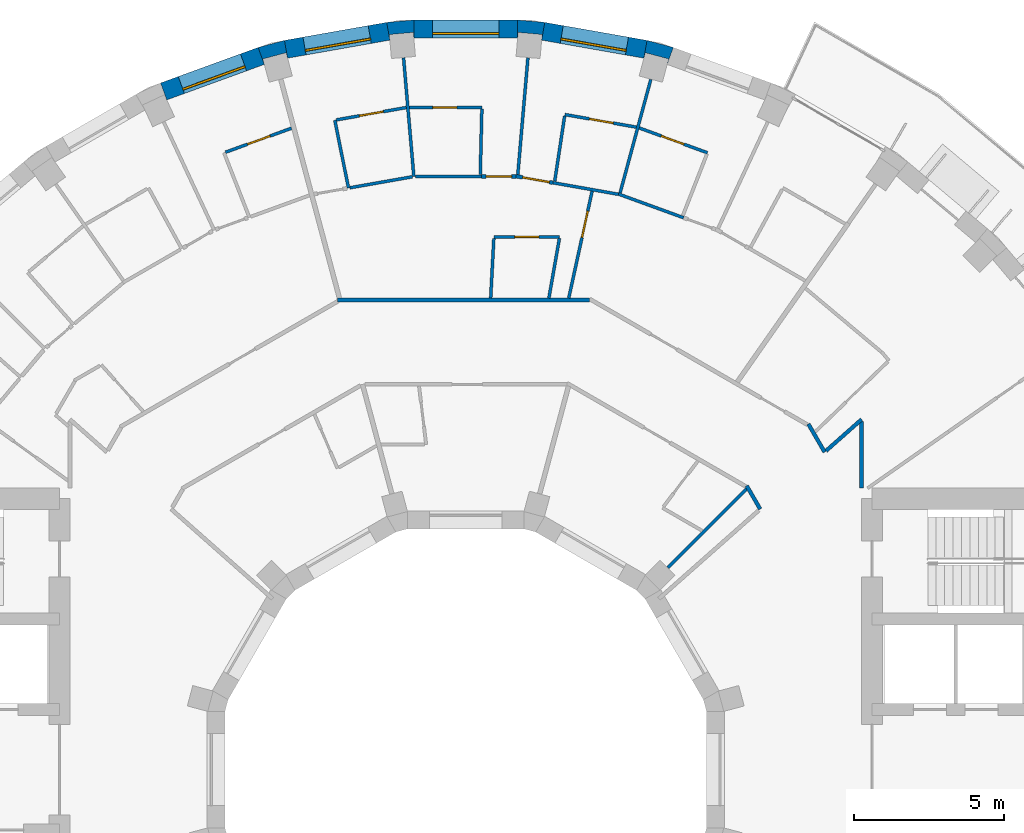
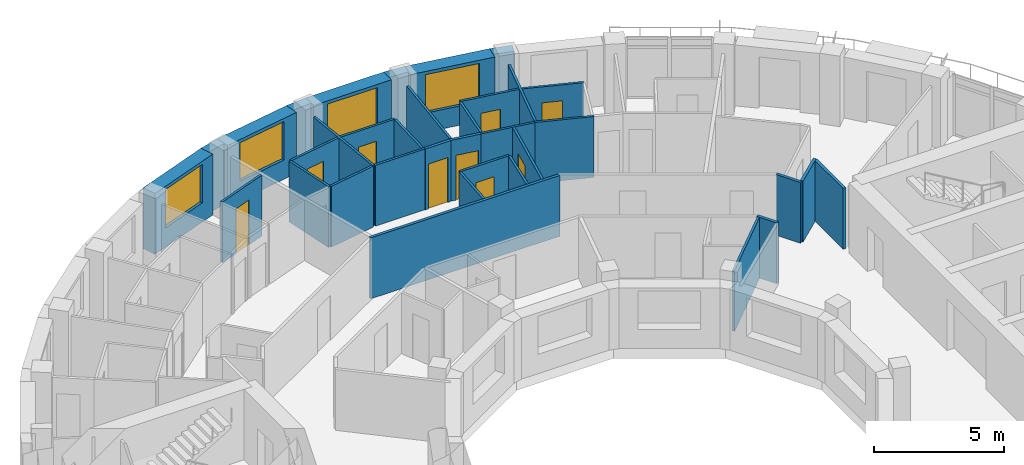
# One storey, part 12 of 15: 35 walls, 9 doors, 4 windows, 13 openings.
"""IFC4 building model written with IfcOpenShell, lengths in metres."""

from ifc_helpers import new_model, si_unit, direction, frame, frame_2d, origin, place, context, subcontext, project, spatial, polyline, rectangle, outline, extrude, material, layer, layer_set, type_object, element, fill, save


model = new_model("IFC4")

# Units and contexts
model_context = context("Model", 3, precision=1e-05, world=origin(), true_north=direction((0.0, 1.0)))
body_context = subcontext(model_context, "Body", "Model", "MODEL_VIEW")
ifc_project = project(units=[si_unit("LENGTHUNIT", "METRE"), si_unit("AREAUNIT", "SQUARE_METRE"), si_unit("VOLUMEUNIT", "CUBIC_METRE"), si_unit("PLANEANGLEUNIT", "RADIAN"), si_unit("MASSUNIT", "GRAM", prefix="KILO")], contexts=[model_context])

# Site, building, storey
site_placement = place(None, origin())
site = spatial("IfcSite", under=ifc_project, at=site_placement, CompositionType="ELEMENT")
building_placement = place(site_placement, origin())
building = spatial("IfcBuilding", under=site, at=building_placement, Name="Saqina Gate Tower", CompositionType="ELEMENT")
storey_placement = place(building_placement, frame((0.0, 0.0, 190.5)))
storey = spatial("IfcBuildingStorey", under=building, at=storey_placement, Name="L54", CompositionType="ELEMENT", Elevation=190.5)

# Walls
ifc_material_1 = material(Name="Brick masonry (buff)", Category="masonry")
wall_type_1 = type_object("IfcWallType", Name="BRICK PIER COPING BUFF", PredefinedType="SOLIDWALL", material=ifc_material_1)
wall_1_placement = place(storey_placement, origin())
element("IfcWall", 1, at=wall_1_placement, inside=storey, type_object=wall_type_1, Name="Pier cap L54 column 8", PredefinedType="SOLIDWALL", context=body_context, shape_type="SweptSolid", body=[
    extrude(outline(polyline([(6.0234375, 24.22705078125), (5.919189453125, 23.635986328125), (5.967529296875, 23.81689453125), (6.740478515625, 23.610107421875), (6.69189453125, 23.428955078125), (6.897216796875, 23.992919921875), (6.0234375, 24.22705078125)])), origin(), (0.0, 0.0, 1.0), 2.85009765625),
])
wall_2_placement = place(storey_placement, origin())
element("IfcWall", 2, at=wall_2_placement, inside=storey, type_object=wall_type_1, Name="Pier cap L54 column 9", PredefinedType="SOLIDWALL", context=body_context, shape_type="SweptSolid", body=[
    extrude(outline(polyline([(2.6259765625, 24.825927734375), (1.724853515625, 24.90478515625), (1.724853515625, 24.304931640625), (1.7412109375, 24.491455078125), (2.5380859375, 24.421630859375), (2.521728515625, 24.235107421875), (2.6259765625, 24.825927734375)])), origin(), (0.0, 0.0, 1.0), 2.85009765625),
])
wall_3_placement = place(storey_placement, origin())
element("IfcWall", 3, at=wall_3_placement, inside=storey, type_object=wall_type_1, Name="Pier cap L54 column 10", PredefinedType="SOLIDWALL", context=body_context, shape_type="SweptSolid", body=[
    extrude(outline(polyline([(-1.724853515625, 24.90478515625), (-2.6259765625, 24.825927734375), (-2.521728515625, 24.235107421875), (-2.5380859375, 24.421630859375), (-1.7412109375, 24.491455078125), (-1.724853515625, 24.304931640625), (-1.724853515625, 24.90478515625)])), origin(), (0.0, 0.0, 1.0), 2.85009765625),
])
wall_4_placement = place(storey_placement, origin())
element("IfcWall", 4, at=wall_4_placement, inside=storey, type_object=wall_type_1, Name="Pier cap L54 column 11", PredefinedType="SOLIDWALL", context=body_context, shape_type="SweptSolid", body=[
    extrude(outline(polyline([(-6.0234375, 24.22705078125), (-6.897216796875, 23.992919921875), (-6.69189453125, 23.428955078125), (-6.740478515625, 23.610107421875), (-5.967529296875, 23.81689453125), (-5.919189453125, 23.635986328125), (-6.0234375, 24.22705078125)])), origin(), (0.0, 0.0, 1.0), 2.85009765625),
])

# Wall, opening, window
ifc_material_2 = material(Name="Brick masonry (buff)", Category="masonry")
ifc_layer_1 = layer(ifc_material_2, 0.60009765625)
ifc_layer_set_1 = layer_set([ifc_layer_1], Name="FW-BRICK-BUFF")
wall_type_2 = type_object("IfcWallType", Name="FW-BRICK-BUFF", PredefinedType="SOLIDWALL", material=ifc_layer_set_1)
wall_5_placement = place(storey_placement, frame((5.97119140625, 23.931640625, 0.0), z_axis=(0.0, 0.0, 1.0), x_axis=(-0.984814892183, 0.173607684551, 0.0)))
wall_5 = element("IfcWall", 5, at=wall_5_placement, inside=storey, type_object=wall_type_2, Name="Facade wall L54 facet 8", PredefinedType="SOLIDWALL", context=body_context, shape_type="SweptSolid", body=[
    extrude(rectangle(XDim=3.44970703125, YDim=0.60009765625, at=frame_2d((1.724853515625, 0.0))), origin(), (0.0, 0.0, 1.0), 2.85009765625),
])
opening_1_placement = place(wall_5_placement, frame((0.625, 0.0, 0.89990234375)))
opening_1 = element("IfcOpeningElement", 6, at=opening_1_placement, cuts=wall_5, Name="Opening G16-W02", PredefinedType="OPENING", context=body_context, shape_type="SweptSolid", body=[
    extrude(rectangle(XDim=2.199951171875, YDim=1.800048828125, at=frame_2d((1.10009765625, 0.89990234375))), frame((0.0, 0.31201171875, 0.0), z_axis=(0.0, -1.0, 0.0), x_axis=(1.0, 0.0, 0.0)), (0.0, 0.0, 1.0), 0.6240234375),
])
ifc_material_3 = material(Name="Aluminium glazing", Category="aluminium")
window_type = type_object("IfcWindowType", Name="WN-C", PartitioningType="SINGLE_PANEL", PredefinedType="WINDOW", material=ifc_material_3)
window_1_placement = place(opening_1_placement, origin())
window_1 = element("IfcWindow", 7, at=window_1_placement, inside=storey, type_object=window_type, Name="Window L54 facet 8", OverallHeight=1.800048828125, OverallWidth=2.199951171875, PartitioningType="SINGLE_PANEL", PredefinedType="WINDOW", context=body_context, shape_type="SweptSolid", body=[
    extrude(rectangle(XDim=2.199951171875, YDim=1.800048828125, at=frame_2d((1.10009765625, 0.89990234375))), frame((0.0, 0.179931640625, 0.0), z_axis=(0.0, -1.0, 0.0), x_axis=(1.0, 0.0, 0.0)), (0.0, 0.0, 1.0), 0.06005859375),
])
fill(opening_1, window_1)

wall_6_placement = place(storey_placement, frame((1.724853515625, 24.60498046875, 0.0), z_axis=(0.0, 0.0, 1.0), x_axis=(-1.0, 0.0, 0.0)))
wall_6 = element("IfcWall", 8, at=wall_6_placement, inside=storey, type_object=wall_type_2, Name="Facade wall L54 facet 9", PredefinedType="SOLIDWALL", context=body_context, shape_type="SweptSolid", body=[
    extrude(rectangle(XDim=3.44970703125, YDim=0.60009765625, at=frame_2d((1.724853515625, 0.0))), origin(), (0.0, 0.0, 1.0), 2.85009765625),
])
opening_2_placement = place(wall_6_placement, frame((0.625, 0.0, 0.89990234375)))
opening_2 = element("IfcOpeningElement", 9, at=opening_2_placement, cuts=wall_6, Name="Opening G16-W03", PredefinedType="OPENING", context=body_context, shape_type="SweptSolid", body=[
    extrude(rectangle(XDim=2.199951171875, YDim=1.800048828125, at=frame_2d((1.10009765625, 0.89990234375))), frame((0.0, 0.31201171875, 0.0), z_axis=(0.0, -1.0, 0.0), x_axis=(1.0, 0.0, 0.0)), (0.0, 0.0, 1.0), 0.6240234375),
])
window_2_placement = place(opening_2_placement, origin())
window_2 = element("IfcWindow", 10, at=window_2_placement, inside=storey, type_object=window_type, Name="Window L54 facet 9", OverallHeight=1.800048828125, OverallWidth=2.199951171875, PartitioningType="SINGLE_PANEL", PredefinedType="WINDOW", context=body_context, shape_type="SweptSolid", body=[
    extrude(rectangle(XDim=2.199951171875, YDim=1.800048828125, at=frame_2d((1.10009765625, 0.89990234375))), frame((0.0, 0.179931640625, 0.0), z_axis=(0.0, -1.0, 0.0), x_axis=(1.0, 0.0, 0.0)), (0.0, 0.0, 1.0), 0.06005859375),
])
fill(opening_2, window_2)

wall_7_placement = place(storey_placement, frame((-2.573974609375, 24.530517578125, 0.0), z_axis=(0.0, 0.0, 1.0), x_axis=(-0.984814892183, -0.173607684551, 0.0)))
wall_7 = element("IfcWall", 11, at=wall_7_placement, inside=storey, type_object=wall_type_2, Name="Facade wall L54 facet 10", PredefinedType="SOLIDWALL", context=body_context, shape_type="SweptSolid", body=[
    extrude(rectangle(XDim=3.44970703125, YDim=0.60009765625, at=frame_2d((1.724853515625, 0.0))), origin(), (0.0, 0.0, 1.0), 2.85009765625),
])
opening_3_placement = place(wall_7_placement, frame((0.625, 0.0, 0.89990234375)))
opening_3 = element("IfcOpeningElement", 12, at=opening_3_placement, cuts=wall_7, Name="Opening G16-W04", PredefinedType="OPENING", context=body_context, shape_type="SweptSolid", body=[
    extrude(rectangle(XDim=2.199951171875, YDim=1.800048828125, at=frame_2d((1.10009765625, 0.89990234375))), frame((0.0, 0.31201171875, 0.0), z_axis=(0.0, -1.0, 0.0), x_axis=(1.0, 0.0, 0.0)), (0.0, 0.0, 1.0), 0.6240234375),
])
window_3_placement = place(opening_3_placement, origin())
window_3 = element("IfcWindow", 13, at=window_3_placement, inside=storey, type_object=window_type, Name="Window L54 facet 10", OverallHeight=1.800048828125, OverallWidth=2.199951171875, PartitioningType="SINGLE_PANEL", PredefinedType="WINDOW", context=body_context, shape_type="SweptSolid", body=[
    extrude(rectangle(XDim=2.199951171875, YDim=1.800048828125, at=frame_2d((1.10009765625, 0.89990234375))), frame((0.0, 0.179931640625, 0.0), z_axis=(0.0, -1.0, 0.0), x_axis=(1.0, 0.0, 0.0)), (0.0, 0.0, 1.0), 0.06005859375),
])
fill(opening_3, window_3)

wall_8_placement = place(storey_placement, frame((-6.79443359375, 23.7109375, 0.0), z_axis=(0.0, 0.0, 1.0), x_axis=(-0.93968799822, -0.342032843455, 0.0)))
wall_8 = element("IfcWall", 14, at=wall_8_placement, inside=storey, type_object=wall_type_2, Name="Facade wall L54 facet 11", PredefinedType="SOLIDWALL", context=body_context, shape_type="SweptSolid", body=[
    extrude(rectangle(XDim=3.44970703125, YDim=0.60009765625, at=frame_2d((1.724853515625, 0.0))), origin(), (0.0, 0.0, 1.0), 2.85009765625),
])
opening_4_placement = place(wall_8_placement, frame((0.625, 0.0, 0.89990234375)))
opening_4 = element("IfcOpeningElement", 15, at=opening_4_placement, cuts=wall_8, Name="Opening G16-W05", PredefinedType="OPENING", context=body_context, shape_type="SweptSolid", body=[
    extrude(rectangle(XDim=2.199951171875, YDim=1.800048828125, at=frame_2d((1.10009765625, 0.89990234375))), frame((0.0, 0.31201171875, 0.0), z_axis=(0.0, -1.0, 0.0), x_axis=(1.0, 0.0, 0.0)), (0.0, 0.0, 1.0), 0.6240234375),
])
window_4_placement = place(opening_4_placement, origin())
window_4 = element("IfcWindow", 16, at=window_4_placement, inside=storey, type_object=window_type, Name="Window L54 facet 11", OverallHeight=1.800048828125, OverallWidth=2.199951171875, PartitioningType="SINGLE_PANEL", PredefinedType="WINDOW", context=body_context, shape_type="SweptSolid", body=[
    extrude(rectangle(XDim=2.199951171875, YDim=1.800048828125, at=frame_2d((1.10009765625, 0.89990234375))), frame((0.0, 0.179931640625, 0.0), z_axis=(0.0, -1.0, 0.0), x_axis=(1.0, 0.0, 0.0)), (0.0, 0.0, 1.0), 0.06005859375),
])
fill(opening_4, window_4)

# Walls
ifc_material_4 = material(Name="Gypsum board on steel studs, 100 mm", Category="steel")
ifc_layer_2 = layer(ifc_material_4, 0.10009765625)
ifc_layer_set_2 = layer_set([ifc_layer_2], Name="PARTITION 100")
wall_type_3 = type_object("IfcWallType", Name="PARTITION 100", PredefinedType="PARTITIONING", material=ifc_layer_set_2)
wall_9_placement = place(storey_placement, frame((-2.066162109375, 23.64990234375, 0.0), z_axis=(0.0, 0.0, 1.0), x_axis=(0.086382173885, -0.996262073972, 0.0)))
element("IfcWall", 17, at=wall_9_placement, inside=storey, type_object=wall_type_3, Name="PARTITION PW3-02", PredefinedType="PARTITIONING", context=body_context, shape_type="SweptSolid", body=[
    extrude(rectangle(XDim=3.959716796875, YDim=0.10009765625, at=frame_2d((1.97998046875, 0.0))), origin(), (0.0, 0.0, 1.0), 2.85009765625),
])
wall_10_placement = place(storey_placement, frame((-4.35009765625, 21.576904296875, 0.0), z_axis=(0.0, 0.0, 1.0), x_axis=(0.197830277374, -0.980236288532, 0.0)))
element("IfcWall", 18, at=wall_10_placement, inside=storey, type_object=wall_type_3, Name="PARTITION PW3-07", PredefinedType="PARTITIONING", context=body_context, shape_type="SweptSolid", body=[
    extrude(rectangle(XDim=2.30029296875, YDim=0.10009765625, at=frame_2d((1.150146484375, 0.0))), origin(), (0.0, 0.0, 1.0), 2.85009765625),
])
wall_11_placement = place(storey_placement, frame((5.0712890625, 19.123291015625, 0.0), z_axis=(0.0, 0.0, 1.0), x_axis=(0.939734670151, -0.34190459154, 0.0)))
element("IfcWall", 19, at=wall_11_placement, inside=storey, type_object=wall_type_3, Name="PARTITION PW3-45", PredefinedType="PARTITIONING", context=body_context, shape_type="SweptSolid", body=[
    extrude(rectangle(XDim=2.3056640625, YDim=0.10009765625, at=frame_2d((1.15283203125, 0.0))), origin(), (0.0, 0.0, 1.0), 2.85009765625),
])

# Wall, opening, door
wall_12_placement = place(storey_placement, frame((5.763916015625, 21.31884765625, 0.0), z_axis=(0.0, 0.0, 1.0), x_axis=(0.939672176826, -0.342076307422, 0.0)))
wall_12 = element("IfcWall", 20, at=wall_12_placement, inside=storey, type_object=wall_type_3, Name="PARTITION PW3-46", PredefinedType="PARTITIONING", context=body_context, shape_type="SweptSolid", body=[
    extrude(rectangle(XDim=2.41162109375, YDim=0.10009765625, at=frame_2d((1.205810546875, 0.0))), origin(), (0.0, 0.0, 1.0), 2.85009765625),
])
opening_5_placement = place(wall_12_placement, frame((0.78076171875, 0.0, 0.0)))
opening_5 = element("IfcOpeningElement", 21, at=opening_5_placement, cuts=wall_12, Name="Opening G16-D10", PredefinedType="OPENING", context=body_context, shape_type="SweptSolid", body=[
    extrude(rectangle(XDim=0.800048828125, YDim=2.10009765625, at=frame_2d((0.39990234375, 1.050048828125))), frame((0.0, 0.06201171875, 0.0), z_axis=(0.0, -1.0, 0.0), x_axis=(1.0, 0.0, 0.0)), (0.0, 0.0, 1.0), 0.1240234375),
])
ifc_material_5 = material(Name="Timber door leaf, 800 mm", Category="wood")
door_type_1 = type_object("IfcDoorType", Name="DOOR 800 TIMBER", OperationType="SINGLE_SWING_LEFT", PredefinedType="DOOR", material=ifc_material_5)
door_1_placement = place(opening_5_placement, origin())
door_1 = element("IfcDoor", 22, at=door_1_placement, inside=storey, type_object=door_type_1, Name="DOOR G16-D10", OperationType="SINGLE_SWING_LEFT", OverallHeight=2.10009765625, OverallWidth=0.800048828125, PredefinedType="DOOR", context=body_context, shape_type="SweptSolid", body=[
    extrude(rectangle(XDim=0.800048828125, YDim=2.10009765625, at=frame_2d((0.39990234375, 1.050048828125))), frame((0.0, 0.02490234375, 0.0), z_axis=(0.0, -1.0, 0.0), x_axis=(1.0, 0.0, 0.0)), (0.0, 0.0, 1.0), 0.050048828125),
])
fill(opening_5, door_1)

# Wall
wall_13_placement = place(storey_placement, frame((2.898681640625, 19.497802734375, 0.0), z_axis=(0.0, 0.0, 1.0), x_axis=(0.984790246942, -0.173747430277, 0.0)))
element("IfcWall", 23, at=wall_13_placement, inside=storey, type_object=wall_type_3, Name="PARTITION PW3-49", PredefinedType="PARTITIONING", context=body_context, shape_type="SweptSolid", body=[
    extrude(rectangle(XDim=2.20458984375, YDim=0.10009765625, at=frame_2d((1.102294921875, 0.0))), origin(), (0.0, 0.0, 1.0), 2.85009765625),
])

# Wall, opening, door
wall_14_placement = place(storey_placement, frame((3.29296875, 21.763916015625, 0.0), z_axis=(0.0, 0.0, 1.0), x_axis=(0.984775404062, -0.173831537861, 0.0)))
wall_14 = element("IfcWall", 24, at=wall_14_placement, inside=storey, type_object=wall_type_3, Name="PARTITION PW3-50", PredefinedType="PARTITIONING", context=body_context, shape_type="SweptSolid", body=[
    extrude(rectangle(XDim=2.411376953125, YDim=0.10009765625, at=frame_2d((1.20556640625, 0.0))), origin(), (0.0, 0.0, 1.0), 2.85009765625),
])
opening_6_placement = place(wall_14_placement, frame((0.830810546875, 0.0, 0.0)))
opening_6 = element("IfcOpeningElement", 25, at=opening_6_placement, cuts=wall_14, Name="Opening G16-D12", PredefinedType="OPENING", context=body_context, shape_type="SweptSolid", body=[
    extrude(rectangle(XDim=0.800048828125, YDim=2.10009765625, at=frame_2d((0.39990234375, 1.050048828125))), frame((0.0, 0.06201171875, 0.0), z_axis=(0.0, -1.0, 0.0), x_axis=(1.0, 0.0, 0.0)), (0.0, 0.0, 1.0), 0.1240234375),
])
door_2_placement = place(opening_6_placement, origin())
door_2 = element("IfcDoor", 26, at=door_2_placement, inside=storey, type_object=door_type_1, Name="DOOR G16-D12", OperationType="SINGLE_SWING_RIGHT", OverallHeight=2.10009765625, OverallWidth=0.800048828125, PredefinedType="DOOR", context=body_context, shape_type="SweptSolid", body=[
    extrude(rectangle(XDim=0.800048828125, YDim=2.10009765625, at=frame_2d((0.39990234375, 1.050048828125))), frame((0.0, 0.02490234375, 0.0), z_axis=(0.0, -1.0, 0.0), x_axis=(1.0, 0.0, 0.0)), (0.0, 0.0, 1.0), 0.050048828125),
])
fill(opening_6, door_2)

wall_15_placement = place(storey_placement, frame((0.93603515625, 17.699951171875, 0.0), z_axis=(0.0, 0.0, 1.0), x_axis=(1.0, 0.0, 0.0)))
wall_15 = element("IfcWall", 27, at=wall_15_placement, inside=storey, type_object=wall_type_3, Name="PARTITION PW3-56", PredefinedType="PARTITIONING", context=body_context, shape_type="SweptSolid", body=[
    extrude(rectangle(XDim=2.18505859375, YDim=0.10009765625, at=frame_2d((1.092529296875, 0.0))), origin(), (0.0, 0.0, 1.0), 2.85009765625),
])
opening_7_placement = place(wall_15_placement, frame((0.6923828125, 0.0, 0.0)))
opening_7 = element("IfcOpeningElement", 28, at=opening_7_placement, cuts=wall_15, Name="Opening G16-D14", PredefinedType="OPENING", context=body_context, shape_type="SweptSolid", body=[
    extrude(rectangle(XDim=0.800048828125, YDim=2.10009765625, at=frame_2d((0.39990234375, 1.050048828125))), frame((0.0, 0.06201171875, 0.0), z_axis=(0.0, -1.0, 0.0), x_axis=(1.0, 0.0, 0.0)), (0.0, 0.0, 1.0), 0.1240234375),
])
door_3_placement = place(opening_7_placement, origin())
door_3 = element("IfcDoor", 29, at=door_3_placement, inside=storey, type_object=door_type_1, Name="DOOR G16-D14", OperationType="SINGLE_SWING_RIGHT", OverallHeight=2.10009765625, OverallWidth=0.800048828125, PredefinedType="DOOR", context=body_context, shape_type="SweptSolid", body=[
    extrude(rectangle(XDim=0.800048828125, YDim=2.10009765625, at=frame_2d((0.39990234375, 1.050048828125))), frame((0.0, 0.02490234375, 0.0), z_axis=(0.0, -1.0, 0.0), x_axis=(1.0, 0.0, 0.0)), (0.0, 0.0, 1.0), 0.050048828125),
])
fill(opening_7, door_3)

# Wall
wall_16_placement = place(storey_placement, frame((-1.674072265625, 19.705078125, 0.0), z_axis=(0.0, 0.0, 1.0), x_axis=(1.0, 0.0, 0.0)))
element("IfcWall", 30, at=wall_16_placement, inside=storey, type_object=wall_type_3, Name="PARTITION PW3-57", PredefinedType="PARTITIONING", context=body_context, shape_type="SweptSolid", body=[
    extrude(rectangle(XDim=2.205078125, YDim=0.10009765625, at=frame_2d((1.1025390625, 0.0))), origin(), (0.0, 0.0, 1.0), 2.85009765625),
])

# Wall, opening, door
wall_17_placement = place(storey_placement, frame((-1.875, 22.0048828125, 0.0), z_axis=(0.0, 0.0, 1.0), x_axis=(1.0, 0.0, 0.0)))
wall_17 = element("IfcWall", 31, at=wall_17_placement, inside=storey, type_object=wall_type_3, Name="PARTITION PW3-58", PredefinedType="PARTITIONING", context=body_context, shape_type="SweptSolid", body=[
    extrude(rectangle(XDim=2.412109375, YDim=0.10009765625, at=frame_2d((1.2060546875, 0.0))), origin(), (0.0, 0.0, 1.0), 2.85009765625),
])
opening_8_placement = place(wall_17_placement, frame((0.781005859375, 0.0, 0.0)))
opening_8 = element("IfcOpeningElement", 32, at=opening_8_placement, cuts=wall_17, Name="Opening G16-D17", PredefinedType="OPENING", context=body_context, shape_type="SweptSolid", body=[
    extrude(rectangle(XDim=0.800048828125, YDim=2.10009765625, at=frame_2d((0.39990234375, 1.050048828125))), frame((0.0, 0.06201171875, 0.0), z_axis=(0.0, -1.0, 0.0), x_axis=(1.0, 0.0, 0.0)), (0.0, 0.0, 1.0), 0.1240234375),
])
door_4_placement = place(opening_8_placement, origin())
door_4 = element("IfcDoor", 33, at=door_4_placement, inside=storey, type_object=door_type_1, Name="DOOR G16-D17", OperationType="SINGLE_SWING_LEFT", OverallHeight=2.10009765625, OverallWidth=0.800048828125, PredefinedType="DOOR", context=body_context, shape_type="SweptSolid", body=[
    extrude(rectangle(XDim=0.800048828125, YDim=2.10009765625, at=frame_2d((0.39990234375, 1.050048828125))), frame((0.0, 0.02490234375, 0.0), z_axis=(0.0, -1.0, 0.0), x_axis=(1.0, 0.0, 0.0)), (0.0, 0.0, 1.0), 0.050048828125),
])
fill(opening_8, door_4)

# Wall
wall_18_placement = place(storey_placement, frame((-3.845703125, 19.33056640625, 0.0), z_axis=(0.0, 0.0, 1.0), x_axis=(0.984784726653, 0.173778716047, 0.0)))
element("IfcWall", 34, at=wall_18_placement, inside=storey, type_object=wall_type_3, Name="PARTITION PW3-61", PredefinedType="PARTITIONING", context=body_context, shape_type="SweptSolid", body=[
    extrude(rectangle(XDim=2.1044921875, YDim=0.10009765625, at=frame_2d((1.05224609375, 0.0))), origin(), (0.0, 0.0, 1.0), 2.85009765625),
])

# Wall, opening, door
wall_19_placement = place(storey_placement, frame((-4.30078125, 21.585693359375, 0.0), z_axis=(0.0, 0.0, 1.0), x_axis=(0.984779397408, 0.173808913582, 0.0)))
wall_19 = element("IfcWall", 35, at=wall_19_placement, inside=storey, type_object=wall_type_3, Name="PARTITION PW3-62", PredefinedType="PARTITIONING", context=body_context, shape_type="SweptSolid", body=[
    extrude(rectangle(XDim=2.362548828125, YDim=0.10009765625, at=frame_2d((1.18115234375, 0.0))), origin(), (0.0, 0.0, 1.0), 2.85009765625),
])
opening_9_placement = place(wall_19_placement, frame((0.78125, 0.0, 0.0)))
opening_9 = element("IfcOpeningElement", 36, at=opening_9_placement, cuts=wall_19, Name="Opening G16-D19", PredefinedType="OPENING", context=body_context, shape_type="SweptSolid", body=[
    extrude(rectangle(XDim=0.800048828125, YDim=2.10009765625, at=frame_2d((0.39990234375, 1.050048828125))), frame((0.0, 0.06201171875, 0.0), z_axis=(0.0, -1.0, 0.0), x_axis=(1.0, 0.0, 0.0)), (0.0, 0.0, 1.0), 0.1240234375),
])
door_5_placement = place(opening_9_placement, origin())
door_5 = element("IfcDoor", 37, at=door_5_placement, inside=storey, type_object=door_type_1, Name="DOOR G16-D19", OperationType="SINGLE_SWING_LEFT", OverallHeight=2.10009765625, OverallWidth=0.800048828125, PredefinedType="DOOR", context=body_context, shape_type="SweptSolid", body=[
    extrude(rectangle(XDim=0.800048828125, YDim=2.10009765625, at=frame_2d((0.39990234375, 1.050048828125))), frame((0.0, 0.02490234375, 0.0), z_axis=(0.0, -1.0, 0.0), x_axis=(1.0, 0.0, 0.0)), (0.0, 0.0, 1.0), 0.050048828125),
])
fill(opening_9, door_5)

wall_20_placement = place(storey_placement, frame((-7.98291015625, 20.510986328125, 0.0), z_axis=(0.0, 0.0, 1.0), x_axis=(0.939652995513, 0.342128993251, 0.0)))
wall_20 = element("IfcWall", 38, at=wall_20_placement, inside=storey, type_object=wall_type_3, Name="PARTITION PW3-66", PredefinedType="PARTITIONING", context=body_context, shape_type="SweptSolid", body=[
    extrude(rectangle(XDim=2.336181640625, YDim=0.10009765625, at=frame_2d((1.16796875, 0.0))), origin(), (0.0, 0.0, 1.0), 2.85009765625),
])
opening_10_placement = place(wall_20_placement, frame((0.78076171875, 0.0, 0.0)))
opening_10 = element("IfcOpeningElement", 39, at=opening_10_placement, cuts=wall_20, Name="Opening G16-D21", PredefinedType="OPENING", context=body_context, shape_type="SweptSolid", body=[
    extrude(rectangle(XDim=0.800048828125, YDim=2.10009765625, at=frame_2d((0.39990234375, 1.050048828125))), frame((0.0, 0.06201171875, 0.0), z_axis=(0.0, -1.0, 0.0), x_axis=(1.0, 0.0, 0.0)), (0.0, 0.0, 1.0), 0.1240234375),
])
door_6_placement = place(opening_10_placement, origin())
door_6 = element("IfcDoor", 40, at=door_6_placement, inside=storey, type_object=door_type_1, Name="DOOR G16-D21", OperationType="SINGLE_SWING_RIGHT", OverallHeight=2.10009765625, OverallWidth=0.800048828125, PredefinedType="DOOR", context=body_context, shape_type="SweptSolid", body=[
    extrude(rectangle(XDim=0.800048828125, YDim=2.10009765625, at=frame_2d((0.39990234375, 1.050048828125))), frame((0.0, 0.02490234375, 0.0), z_axis=(0.0, -1.0, 0.0), x_axis=(1.0, 0.0, 0.0)), (0.0, 0.0, 1.0), 0.050048828125),
])
fill(opening_10, door_6)

# Walls
wall_21_placement = place(storey_placement, frame((6.7119140625, 6.7119140625, 0.0), z_axis=(0.0, 0.0, 1.0), x_axis=(0.707106781187, 0.707106781187, 0.0)))
element("IfcWall", 41, at=wall_21_placement, inside=storey, type_object=wall_type_3, Name="PARTITION PW3-80", PredefinedType="PARTITIONING", context=body_context, shape_type="SweptSolid", body=[
    extrude(rectangle(XDim=3.69677734375, YDim=0.10009765625, at=frame_2d((1.848388671875, 0.0))), origin(), (0.0, 0.0, 1.0), 2.85009765625),
])
wall_22_placement = place(storey_placement, frame((5.126953125, 19.155517578125, 0.0), z_axis=(0.0, 0.0, 1.0), x_axis=(0.261236113371, 0.965274931339, 0.0)))
element("IfcWall", 42, at=wall_22_placement, inside=storey, type_object=wall_type_3, Name="PARTITION PW3-93", PredefinedType="PARTITIONING", context=body_context, shape_type="SweptSolid", body=[
    extrude(rectangle(XDim=3.91015625, YDim=0.10009765625, at=frame_2d((1.955078125, 0.0))), origin(), (0.0, 0.0, 1.0), 2.85009765625),
])

# Wall, opening, door
wall_23_placement = place(storey_placement, frame((3.42138671875, 15.6611328125, 0.0), z_axis=(0.0, 0.0, 1.0), x_axis=(0.213434819618, 0.976957306014, 0.0)))
wall_23 = element("IfcWall", 43, at=wall_23_placement, inside=storey, type_object=wall_type_3, Name="PARTITION PW3-95", PredefinedType="PARTITIONING", context=body_context, shape_type="SweptSolid", body=[
    extrude(rectangle(XDim=3.639892578125, YDim=0.10009765625, at=frame_2d((1.81982421875, 0.0))), origin(), (0.0, 0.0, 1.0), 2.85009765625),
])
opening_11_placement = place(wall_23_placement, frame((2.063720703125, 0.0, 0.0)))
opening_11 = element("IfcOpeningElement", 44, at=opening_11_placement, cuts=wall_23, Name="Opening G16-D11", PredefinedType="OPENING", context=body_context, shape_type="SweptSolid", body=[
    extrude(rectangle(XDim=0.89990234375, YDim=2.10009765625, at=frame_2d((0.449951171875, 1.050048828125))), frame((0.0, 0.06201171875, 0.0), z_axis=(0.0, -1.0, 0.0), x_axis=(1.0, 0.0, 0.0)), (0.0, 0.0, 1.0), 0.1240234375),
])
ifc_material_6 = material(Name="Timber door leaf, 900 mm", Category="wood")
door_type_2 = type_object("IfcDoorType", Name="DOOR 900 TIMBER", OperationType="SINGLE_SWING_LEFT", PredefinedType="DOOR", material=ifc_material_6)
door_7_placement = place(opening_11_placement, origin())
door_7 = element("IfcDoor", 45, at=door_7_placement, inside=storey, type_object=door_type_2, Name="DOOR G16-D11", OperationType="SINGLE_SWING_LEFT", OverallHeight=2.10009765625, OverallWidth=0.89990234375, PredefinedType="DOOR", context=body_context, shape_type="SweptSolid", body=[
    extrude(rectangle(XDim=0.89990234375, YDim=2.10009765625, at=frame_2d((0.449951171875, 1.050048828125))), frame((0.0, 0.02490234375, 0.0), z_axis=(0.0, -1.0, 0.0), x_axis=(1.0, 0.0, 0.0)), (0.0, 0.0, 1.0), 0.050048828125),
])
fill(opening_11, door_7)

# Walls
wall_24_placement = place(storey_placement, frame((2.761962890625, 15.66162109375, 0.0), z_axis=(0.0, 0.0, 1.0), x_axis=(0.17344745746, 0.98484312431, 0.0)))
element("IfcWall", 46, at=wall_24_placement, inside=storey, type_object=wall_type_3, Name="PARTITION PW3-97", PredefinedType="PARTITIONING", context=body_context, shape_type="SweptSolid", body=[
    extrude(rectangle(XDim=2.019775390625, YDim=0.10009765625, at=frame_2d((1.009765625, 0.0))), origin(), (0.0, 0.0, 1.0), 2.85009765625),
])
wall_25_placement = place(storey_placement, frame((2.957275390625, 19.55078125, 0.0), z_axis=(0.0, 0.0, 1.0), x_axis=(0.149927646316, 0.988696971205, 0.0)))
element("IfcWall", 47, at=wall_25_placement, inside=storey, type_object=wall_type_3, Name="PARTITION PW3-98", PredefinedType="PARTITIONING", context=body_context, shape_type="SweptSolid", body=[
    extrude(rectangle(XDim=2.1884765625, YDim=0.10009765625, at=frame_2d((1.09423828125, 0.0))), origin(), (0.0, 0.0, 1.0), 2.85009765625),
])
wall_26_placement = place(storey_placement, frame((1.7294921875, 19.767333984375, 0.0), z_axis=(0.0, 0.0, 1.0), x_axis=(0.086389019771, 0.996261480367, 0.0)))
element("IfcWall", 48, at=wall_26_placement, inside=storey, type_object=wall_type_3, Name="PARTITION PW3-101", PredefinedType="PARTITIONING", context=body_context, shape_type="SweptSolid", body=[
    extrude(rectangle(XDim=3.897216796875, YDim=0.10009765625, at=frame_2d((1.94873046875, 0.0))), origin(), (0.0, 0.0, 1.0), 2.85009765625),
])
wall_27_placement = place(storey_placement, frame((0.828369140625, 15.662353515625, 0.0), z_axis=(0.0, 0.0, 1.0), x_axis=(0.052739078894, 0.998608326401, 0.0)))
element("IfcWall", 49, at=wall_27_placement, inside=storey, type_object=wall_type_3, Name="PARTITION PW3-103", PredefinedType="PARTITIONING", context=body_context, shape_type="SweptSolid", body=[
    extrude(rectangle(XDim=1.990478515625, YDim=0.10009765625, at=frame_2d((0.9951171875, 0.0))), origin(), (0.0, 0.0, 1.0), 2.85009765625),
])
wall_28_placement = place(storey_placement, frame((0.482421875, 19.767578125, 0.0), z_axis=(0.0, 0.0, 1.0), x_axis=(0.024434666623, 0.999701428961, 0.0)))
element("IfcWall", 50, at=wall_28_placement, inside=storey, type_object=wall_type_3, Name="PARTITION PW3-104", PredefinedType="PARTITIONING", context=body_context, shape_type="SweptSolid", body=[
    extrude(rectangle(XDim=2.188232421875, YDim=0.10009765625, at=frame_2d((1.09423828125, 0.0))), origin(), (0.0, 0.0, 1.0), 2.85009765625),
])
ifc_material_7 = material(Name="Gypsum board on steel studs, 125 mm, fire rated", Category="steel")
ifc_layer_3 = layer(ifc_material_7, 0.125)
ifc_layer_set_3 = layer_set([ifc_layer_3], Name="PARTITION EI 30 125")
wall_type_4 = type_object("IfcWallType", Name="PARTITION EI 30 125", PredefinedType="PARTITIONING", material=ifc_layer_set_3)
wall_29_placement = place(storey_placement, frame((9.333984375, 9.432373046875, 0.0), z_axis=(0.0, 0.0, 1.0), x_axis=(0.500264001326, -0.865872928886, 0.0)))
element("IfcWall", 51, at=wall_29_placement, inside=storey, type_object=wall_type_4, Name="PARTITION PW1-03", PredefinedType="PARTITIONING", context=body_context, shape_type="SweptSolid", body=[
    extrude(rectangle(XDim=0.8974609375, YDim=0.125, at=frame_2d((0.44873046875, 0.0))), origin(), (0.0, 0.0, 1.0), 2.85009765625),
])
wall_30_placement = place(storey_placement, frame((11.3837890625, 11.482421875, 0.0), z_axis=(0.0, 0.0, 1.0), x_axis=(0.500304011038, -0.865849811769, 0.0)))
element("IfcWall", 52, at=wall_30_placement, inside=storey, type_object=wall_type_4, Name="PARTITION PW1-04", PredefinedType="PARTITIONING", context=body_context, shape_type="SweptSolid", body=[
    extrude(rectangle(XDim=1.077880859375, YDim=0.125, at=frame_2d((0.5390625, 0.0))), origin(), (0.0, 0.0, 1.0), 2.85009765625),
])

# Wall, opening, door
wall_31_placement = place(storey_placement, frame((1.66162109375, 19.716064453125, 0.0), z_axis=(0.0, 0.0, 1.0), x_axis=(0.984789427994, -0.173752071961, 0.0)))
wall_31 = element("IfcWall", 53, at=wall_31_placement, inside=storey, type_object=wall_type_4, Name="PARTITION PW1-21", PredefinedType="PARTITIONING", context=body_context, shape_type="SweptSolid", body=[
    extrude(rectangle(XDim=1.256103515625, YDim=0.125, at=frame_2d((0.6279296875, 0.0))), origin(), (0.0, 0.0, 1.0), 2.85009765625),
])
opening_12_placement = place(wall_31_placement, frame((0.23486328125, 0.0, 0.0)))
opening_12 = element("IfcOpeningElement", 54, at=opening_12_placement, cuts=wall_31, Name="Opening G16-D13", PredefinedType="OPENING", context=body_context, shape_type="SweptSolid", body=[
    extrude(rectangle(XDim=0.89990234375, YDim=2.10009765625, at=frame_2d((0.449951171875, 1.050048828125))), frame((0.0, 0.074462890625, 0.0), z_axis=(0.0, -1.0, 0.0), x_axis=(1.0, 0.0, 0.0)), (0.0, 0.0, 1.0), 0.14892578125),
])
ifc_material_8 = material(Name="Fire door leaf EI 30, 900 mm")
door_type_3 = type_object("IfcDoorType", Name="DOOR 900 EI 30", OperationType="SINGLE_SWING_LEFT", PredefinedType="DOOR", material=ifc_material_8)
door_8_placement = place(opening_12_placement, frame((0.89990234375, 0.0, 0.0), z_axis=(0.0, 0.0, 1.0), x_axis=(-1.0, 0.0, 0.0)))
door_8 = element("IfcDoor", 55, at=door_8_placement, inside=storey, type_object=door_type_3, Name="DOOR G16-D13", OperationType="SINGLE_SWING_RIGHT", OverallHeight=2.10009765625, OverallWidth=0.89990234375, PredefinedType="DOOR", context=body_context, shape_type="SweptSolid", body=[
    extrude(rectangle(XDim=0.89990234375, YDim=2.10009765625, at=frame_2d((0.449951171875, 1.050048828125))), frame((0.0, 0.02490234375, 0.0), z_axis=(0.0, -1.0, 0.0), x_axis=(1.0, 0.0, 0.0)), (0.0, 0.0, 1.0), 0.050048828125),
])
fill(opening_12, door_8)

# Wall
wall_32_placement = place(storey_placement, frame((-4.2666015625, 15.60009765625, 0.0), z_axis=(0.0, 0.0, 1.0), x_axis=(1.0, 0.0, 0.0)))
element("IfcWall", 56, at=wall_32_placement, inside=storey, type_object=wall_type_4, Name="PARTITION PW1-26", PredefinedType="PARTITIONING", context=body_context, shape_type="SweptSolid", body=[
    extrude(rectangle(XDim=8.384033203125, YDim=0.125, at=frame_2d((4.19189453125, 0.0))), origin(), (0.0, 0.0, 1.0), 2.85009765625),
])

# Wall, opening, door
wall_33_placement = place(storey_placement, frame((0.531005859375, 19.705078125, 0.0), z_axis=(0.0, 0.0, 1.0), x_axis=(1.0, 0.0, 0.0)))
wall_33 = element("IfcWall", 57, at=wall_33_placement, inside=storey, type_object=wall_type_4, Name="PARTITION PW1-27", PredefinedType="PARTITIONING", context=body_context, shape_type="SweptSolid", body=[
    extrude(rectangle(XDim=1.130615234375, YDim=0.125, at=frame_2d((0.5654296875, 0.0))), origin(), (0.0, 0.0, 1.0), 2.85009765625),
])
opening_13_placement = place(wall_33_placement, frame((0.146484375, 0.0, 0.0)))
opening_13 = element("IfcOpeningElement", 58, at=opening_13_placement, cuts=wall_33, Name="Opening G16-D15", PredefinedType="OPENING", context=body_context, shape_type="SweptSolid", body=[
    extrude(rectangle(XDim=0.85009765625, YDim=2.10009765625, at=frame_2d((0.425048828125, 1.050048828125))), frame((0.0, 0.074462890625, 0.0), z_axis=(0.0, -1.0, 0.0), x_axis=(1.0, 0.0, 0.0)), (0.0, 0.0, 1.0), 0.14892578125),
])
ifc_material_9 = material(Name="Fire door leaf EI 30, 850 mm")
door_type_4 = type_object("IfcDoorType", Name="DOOR 850 EI 30", OperationType="SINGLE_SWING_LEFT", PredefinedType="DOOR", material=ifc_material_9)
door_9_placement = place(opening_13_placement, frame((0.85009765625, 0.0, 0.0), z_axis=(0.0, 0.0, 1.0), x_axis=(-1.0, 0.0, 0.0)))
door_9 = element("IfcDoor", 59, at=door_9_placement, inside=storey, type_object=door_type_4, Name="DOOR G16-D15", OperationType="SINGLE_SWING_LEFT", OverallHeight=2.10009765625, OverallWidth=0.85009765625, PredefinedType="DOOR", context=body_context, shape_type="SweptSolid", body=[
    extrude(rectangle(XDim=0.85009765625, YDim=2.10009765625, at=frame_2d((0.425048828125, 1.050048828125))), frame((0.0, 0.02490234375, 0.0), z_axis=(0.0, -1.0, 0.0), x_axis=(1.0, 0.0, 0.0)), (0.0, 0.0, 1.0), 0.050048828125),
])
fill(opening_13, door_9)

# Walls
wall_34_placement = place(storey_placement, frame((11.969970703125, 10.590087890625, 0.0), z_axis=(0.0, 0.0, 1.0), x_axis=(0.748946277056, 0.662630722261, 0.0)))
element("IfcWall", 60, at=wall_34_placement, inside=storey, type_object=wall_type_4, Name="PARTITION PW1-42", PredefinedType="PARTITIONING", context=body_context, shape_type="SweptSolid", body=[
    extrude(rectangle(XDim=1.575439453125, YDim=0.125, at=frame_2d((0.78759765625, 0.0))), origin(), (0.0, 0.0, 1.0), 2.85009765625),
])
wall_35_placement = place(storey_placement, frame((13.14990234375, 9.35009765625, 0.0), z_axis=(0.0, 0.0, 1.0), x_axis=(0.0, 1.0, 0.0)))
element("IfcWall", 61, at=wall_35_placement, inside=storey, type_object=wall_type_4, Name="PARTITION PW1-51", PredefinedType="PARTITIONING", context=body_context, shape_type="SweptSolid", body=[
    extrude(rectangle(XDim=2.221435546875, YDim=0.125, at=frame_2d((1.11083984375, 0.0))), origin(), (0.0, 0.0, 1.0), 2.85009765625),
])

save(model, "model.ifc")
